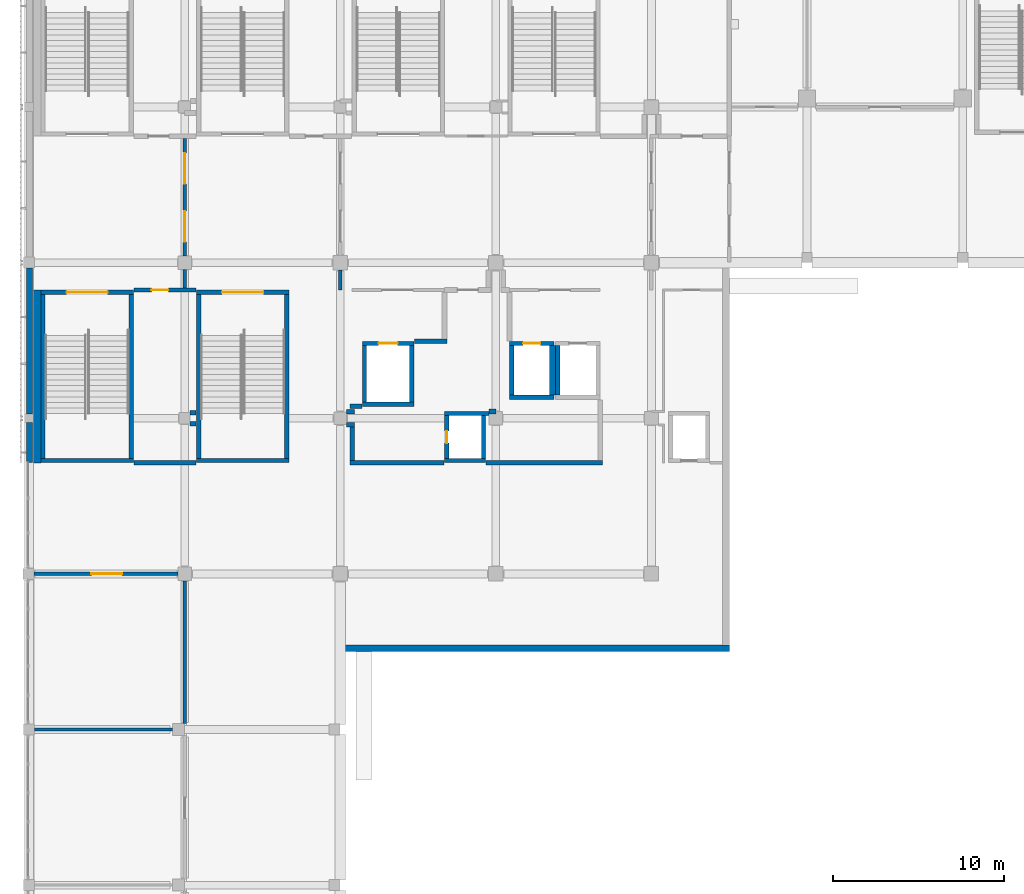
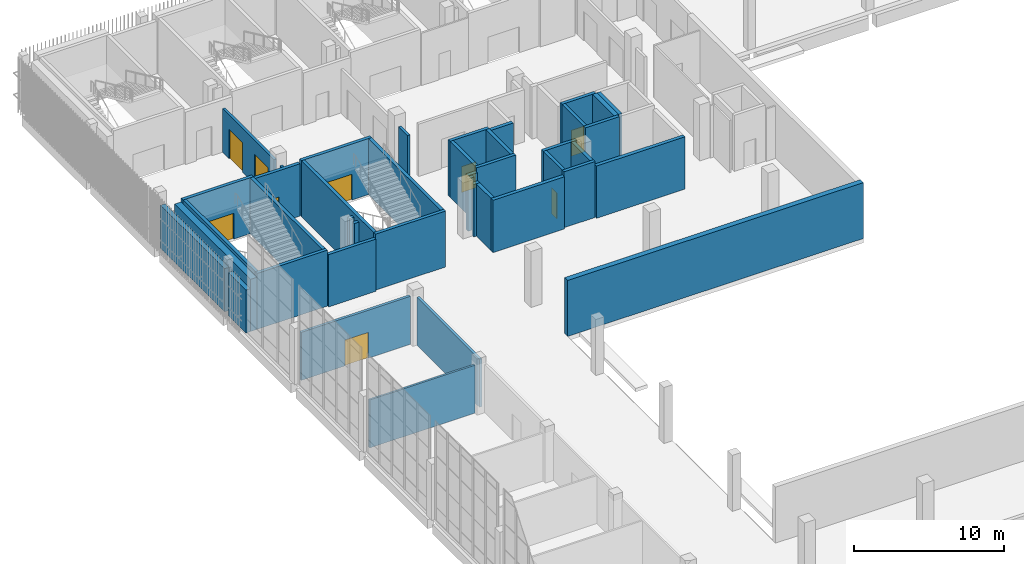
# One storey, part 80 of 126: 43 walls, 9 doors, 9 openings.
"""IFC4 building model written with IfcOpenShell, lengths in metres."""

from ifc_helpers import new_model, si_unit, direction, frame, frame_2d, origin, place, context, subcontext, project, spatial, rectangle, extrude, material, layer, layer_set, type_object, element, fill, save


model = new_model("IFC4")

# Units and contexts
model_context = context("Model", 3, precision=1e-05, world=origin(), true_north=direction((0.0, 1.0)))
body_context = subcontext(model_context, "Body", "Model", "MODEL_VIEW")
ifc_project = project(units=[si_unit("LENGTHUNIT", "METRE"), si_unit("AREAUNIT", "SQUARE_METRE"), si_unit("VOLUMEUNIT", "CUBIC_METRE"), si_unit("PLANEANGLEUNIT", "RADIAN"), si_unit("MASSUNIT", "GRAM", prefix="KILO")], contexts=[model_context])

# Site, building, storey
site_placement = place(None, origin())
site = spatial("IfcSite", under=ifc_project, at=site_placement, CompositionType="ELEMENT")
building_placement = place(site_placement, origin())
building = spatial("IfcBuilding", under=site, at=building_placement, Name="Shirokan Park Arena", CompositionType="ELEMENT")
storey_placement = place(building_placement, frame((0.0, 0.0, 6.3701171875)))
storey = spatial("IfcBuildingStorey", under=building, at=storey_placement, Name="L01", CompositionType="ELEMENT", Elevation=6.3701171875)

# Wall, opening, door
ifc_material_1 = material(Name="Plaster")
ifc_layer_1 = layer(ifc_material_1, 0.014892578125, Name="Plaster")
ifc_material_2 = material(Name="Concrete blockwork", Category="masonry")
ifc_layer_2 = layer(ifc_material_2, 0.219970703125, Name="Concrete blockwork 220")
ifc_layer_3 = layer(ifc_material_1, 0.014892578125, Name="Plaster")
ifc_layer_set_1 = layer_set([ifc_layer_1, ifc_layer_2, ifc_layer_3], Name="Plaster + Concrete blockwork 220")
wall_type_1 = type_object("IfcWallType", Name="Compartment wall 250", PredefinedType="SOLIDWALL", material=ifc_layer_set_1)
wall_1_placement = place(storey_placement, frame((6.1298828125, 89.39990234375, 0.0), z_axis=(0.0, 0.0, 1.0), x_axis=(1.0, 0.0, 0.0)))
wall_1 = element("IfcWall", 1, at=wall_1_placement, inside=storey, type_object=wall_type_1, Name="Compartment wall 250 L01", PredefinedType="SOLIDWALL", context=body_context, shape_type="SweptSolid", body=[
    extrude(rectangle(XDim=3.64013671875, YDim=0.25, at=frame_2d((1.820068359375, 0.0))), origin(), (0.0, 0.0, 1.0), 4.25),
])
opening_1_placement = place(wall_1_placement, frame((1.02001953125, 0.0, 0.0)))
opening_1 = element("IfcOpeningElement", 2, at=opening_1_placement, cuts=wall_1, Name="Opening D-1024", PredefinedType="OPENING", context=body_context, shape_type="SweptSolid", body=[
    extrude(rectangle(XDim=1.0, YDim=2.10009765625, at=frame_2d((0.5, 1.050048828125))), frame((0.0, 0.135009765625, 0.0), z_axis=(0.0, -1.0, 0.0), x_axis=(1.0, 0.0, 0.0)), (0.0, 0.0, 1.0), 0.27001953125),
])
ifc_material_3 = material(Name="Timber door set, fire resisting", Category="wood")
door_type_1 = type_object("IfcDoorType", Name="Door 1000 x 2100", OperationType="SINGLE_SWING_LEFT", PredefinedType="DOOR", material=ifc_material_3)
door_1_placement = place(opening_1_placement, origin())
door_1 = element("IfcDoor", 3, at=door_1_placement, inside=storey, type_object=door_type_1, Name="Door to First Aid Store 1.47 D-1024", OperationType="SINGLE_SWING_RIGHT", OverallHeight=2.10009765625, OverallWidth=1.0, PredefinedType="DOOR", context=body_context, shape_type="SweptSolid", body=[
    extrude(rectangle(XDim=1.0, YDim=2.10009765625, at=frame_2d((0.5, 1.050048828125))), frame((0.0, 0.02490234375, 0.0), z_axis=(0.0, -1.0, 0.0), x_axis=(1.0, 0.0, 0.0)), (0.0, 0.0, 1.0), 0.050048828125),
])
fill(opening_1, door_1)

# Walls
wall_2_placement = place(storey_placement, frame((9.425048828125, 81.574951171875, 0.0), z_axis=(0.0, 0.0, 1.0), x_axis=(1.0, 0.0, 0.0)))
element("IfcWall", 4, at=wall_2_placement, inside=storey, type_object=wall_type_1, Name="Compartment wall 250 L01", PredefinedType="SOLIDWALL", context=body_context, shape_type="SweptSolid", body=[
    extrude(rectangle(XDim=0.344970703125, YDim=0.25, at=frame_2d((0.17236328125, 0.0))), origin(), (0.0, 0.0, 1.0), 4.25),
])
wall_3_placement = place(storey_placement, frame((9.77001953125, 79.300048828125, 0.0), z_axis=(0.0, 0.0, 1.0), x_axis=(-1.0, 0.0, 0.0)))
element("IfcWall", 5, at=wall_3_placement, inside=storey, type_object=wall_type_1, Name="Compartment wall 250 L01", PredefinedType="SOLIDWALL", context=body_context, shape_type="SweptSolid", body=[
    extrude(rectangle(XDim=3.64013671875, YDim=0.25, at=frame_2d((1.820068359375, 0.0))), origin(), (0.0, 0.0, 1.0), 4.25),
])
wall_4_placement = place(storey_placement, frame((9.77001953125, 82.22509765625, 0.0), z_axis=(0.0, 0.0, 1.0), x_axis=(-1.0, 0.0, 0.0)))
element("IfcWall", 6, at=wall_4_placement, inside=storey, type_object=wall_type_1, Name="Compartment wall 250 L01", PredefinedType="SOLIDWALL", context=body_context, shape_type="SweptSolid", body=[
    extrude(rectangle(XDim=0.344970703125, YDim=0.25, at=frame_2d((0.17236328125, 0.0))), origin(), (0.0, 0.0, 1.0), 4.25),
])
ifc_material_4 = material(Name="Gypsum board")
ifc_layer_4 = layer(ifc_material_4, 0.02490234375, Name="Gypsum board, two layers")
ifc_material_5 = material(Name="Mineral wool insulation")
ifc_layer_5 = layer(ifc_material_5, 0.14990234375, Name="Mineral wool insulation")
ifc_layer_6 = layer(ifc_material_4, 0.02490234375, Name="Gypsum board, two layers")
ifc_layer_set_2 = layer_set([ifc_layer_4, ifc_layer_5, ifc_layer_6], Name="Gypsum board, two layers + Mineral wool insulation")
wall_type_2 = type_object("IfcWallType", Name="Corridor wall 200", PredefinedType="PARTITIONING", material=ifc_layer_set_2)
wall_5_placement = place(storey_placement, frame((9.10009765625, 90.60009765625, 0.0), z_axis=(0.0, 0.0, 1.0), x_axis=(0.0, -1.0, 0.0)))
element("IfcWall", 7, at=wall_5_placement, inside=storey, type_object=wall_type_2, Name="Corridor wall 200 L01", PredefinedType="PARTITIONING", context=body_context, shape_type="SweptSolid", body=[
    extrude(rectangle(XDim=1.0751953125, YDim=0.199951171875, at=frame_2d((0.53759765625, 0.0))), origin(), (0.0, 0.0, 1.0), 3.5498046875),
])

# Wall, openings, doors
wall_6_placement = place(storey_placement, frame((9.10009765625, 98.262451171875, 0.0), z_axis=(0.0, 0.0, 1.0), x_axis=(0.0, -1.0, 0.0)))
wall_6 = element("IfcWall", 8, at=wall_6_placement, inside=storey, type_object=wall_type_2, Name="Corridor wall 200 L01", PredefinedType="PARTITIONING", context=body_context, shape_type="SweptSolid", body=[
    extrude(rectangle(XDim=6.862548828125, YDim=0.199951171875, at=frame_2d((3.43115234375, 0.0))), origin(), (0.0, 0.0, 1.0), 3.5498046875),
])
opening_2_placement = place(wall_6_placement, frame((0.85009765625, 0.0, 0.0)))
opening_2 = element("IfcOpeningElement", 9, at=opening_2_placement, cuts=wall_6, Name="Opening D-1085", PredefinedType="OPENING", context=body_context, shape_type="SweptSolid", body=[
    extrude(rectangle(XDim=1.800048828125, YDim=2.39990234375, at=frame_2d((0.89990234375, 1.199951171875))), frame((0.0, 0.10986328125, 0.0), z_axis=(0.0, -1.0, 0.0), x_axis=(1.0, 0.0, 0.0)), (0.0, 0.0, 1.0), 0.219970703125),
])
opening_3_placement = place(wall_6_placement, frame((4.25, 0.0, 0.0)))
opening_3 = element("IfcOpeningElement", 10, at=opening_3_placement, cuts=wall_6, Name="Opening D-1086", PredefinedType="OPENING", context=body_context, shape_type="SweptSolid", body=[
    extrude(rectangle(XDim=1.800048828125, YDim=2.39990234375, at=frame_2d((0.89990234375, 1.199951171875))), frame((0.0, 0.10986328125, 0.0), z_axis=(0.0, -1.0, 0.0), x_axis=(1.0, 0.0, 0.0)), (0.0, 0.0, 1.0), 0.219970703125),
])
ifc_material_6 = material(Name="Glazed steel door set, fire resisting", Category="steel")
door_type_2 = type_object("IfcDoorType", Name="Lift lobby door 1800 x 2400", OperationType="DOUBLE_DOOR_SINGLE_SWING", PredefinedType="DOOR", material=ifc_material_6)
door_2_placement = place(opening_2_placement, origin())
door_2 = element("IfcDoor", 11, at=door_2_placement, inside=storey, type_object=door_type_2, Name="Door between First Aid Lobby 4.1.1 and Kiosk Court 4.1.2 D-1085", OperationType="DOUBLE_DOOR_SINGLE_SWING", OverallHeight=2.39990234375, OverallWidth=1.800048828125, PredefinedType="DOOR", context=body_context, shape_type="SweptSolid", body=[
    extrude(rectangle(XDim=1.800048828125, YDim=2.39990234375, at=frame_2d((0.89990234375, 1.199951171875))), frame((0.0, 0.02490234375, 0.0), z_axis=(0.0, -1.0, 0.0), x_axis=(1.0, 0.0, 0.0)), (0.0, 0.0, 1.0), 0.050048828125),
])
fill(opening_2, door_2)
door_3_placement = place(opening_3_placement, origin())
door_3 = element("IfcDoor", 12, at=door_3_placement, inside=storey, type_object=door_type_2, Name="Door between First Aid Lobby 4.1.1 and Kiosk Court 4.1.2 D-1086", OperationType="DOUBLE_DOOR_SINGLE_SWING", OverallHeight=2.39990234375, OverallWidth=1.800048828125, PredefinedType="DOOR", context=body_context, shape_type="SweptSolid", body=[
    extrude(rectangle(XDim=1.800048828125, YDim=2.39990234375, at=frame_2d((0.89990234375, 1.199951171875))), frame((0.0, 0.02490234375, 0.0), z_axis=(0.0, -1.0, 0.0), x_axis=(1.0, 0.0, 0.0)), (0.0, 0.0, 1.0), 0.050048828125),
])
fill(opening_3, door_3)

# Walls
wall_7_placement = place(storey_placement, frame((18.199951171875, 90.574951171875, 0.0), z_axis=(0.0, 0.0, 1.0), x_axis=(0.0, -1.0, 0.0)))
element("IfcWall", 13, at=wall_7_placement, inside=storey, type_object=wall_type_2, Name="Corridor wall 200 L01", PredefinedType="PARTITIONING", context=body_context, shape_type="SweptSolid", body=[
    extrude(rectangle(XDim=1.175048828125, YDim=0.199951171875, at=frame_2d((0.58740234375, 0.0))), origin(), (0.0, 0.0, 1.0), 3.5498046875),
])
ifc_material_7 = material(Name="Cedar cladding")
ifc_layer_7 = layer(ifc_material_7, 0.030029296875, Name="Cedar cladding")
ifc_layer_8 = layer(ifc_material_5, 0.10009765625, Name="Mineral wool insulation")
ifc_material_8 = material(Name="Concrete C35", Category="concrete")
ifc_layer_9 = layer(ifc_material_8, 0.199951171875, Name="Concrete C35")
ifc_material_9 = material(Name="Gypsum board lining")
ifc_layer_10 = layer(ifc_material_9, 0.02001953125, Name="Gypsum board lining")
ifc_layer_set_3 = layer_set([ifc_layer_7, ifc_layer_8, ifc_layer_9, ifc_layer_10], Name="Cedar cladding + Mineral wool insulation + Concrete C35 + Gypsum board lining")
wall_type_3 = type_object("IfcWallType", Name="Insulated tower wall 350", PredefinedType="SOLIDWALL", material=ifc_layer_set_3)
wall_8_placement = place(storey_placement, frame((0.02490234375, 90.675048828125, 0.0), z_axis=(0.0, 0.0, 1.0), x_axis=(0.0, -1.0, 0.0)))
element("IfcWall", 14, at=wall_8_placement, inside=storey, type_object=wall_type_3, Name="West facade wall bay 3 L01", PredefinedType="SOLIDWALL", context=body_context, shape_type="SweptSolid", body=[
    extrude(rectangle(XDim=8.525146484375, YDim=0.35009765625, at=frame_2d((4.2626953125, 0.0))), origin(), (0.0, 0.0, 1.0), 3.5),
])
wall_9_placement = place(storey_placement, frame((0.02490234375, 81.64990234375, 0.0), z_axis=(0.0, 0.0, 1.0), x_axis=(0.0, -1.0, 0.0)))
element("IfcWall", 15, at=wall_9_placement, inside=storey, type_object=wall_type_3, Name="West facade wall bay 4 L01", PredefinedType="SOLIDWALL", context=body_context, shape_type="SweptSolid", body=[
    extrude(rectangle(XDim=2.349853515625, YDim=0.35009765625, at=frame_2d((1.1748046875, 0.0))), origin(), (0.0, 0.0, 1.0), 3.5),
])
ifc_layer_11 = layer(ifc_material_8, 0.14990234375)
ifc_layer_set_4 = layer_set([ifc_layer_11], Name="Concrete C35 150 mm")
wall_type_4 = type_object("IfcWallType", Name="Pavilion RC wall 150", PredefinedType="SOLIDWALL", material=ifc_layer_set_4)
wall_10_placement = place(storey_placement, frame((0.324951171875, 63.699951171875, 0.0), z_axis=(0.0, 0.0, 1.0), x_axis=(1.0, 0.0, 0.0)))
element("IfcWall", 16, at=wall_10_placement, inside=storey, type_object=wall_type_4, Name="Room partition 150 L01", PredefinedType="PARTITIONING", context=body_context, shape_type="SweptSolid", body=[
    extrude(rectangle(XDim=8.074951171875, YDim=0.14990234375, at=frame_2d((4.03759765625, 0.0))), origin(), (0.0, 0.0, 1.0), 3.89990234375),
])

# Wall, opening, door
ifc_layer_12 = layer(ifc_material_8, 0.199951171875)
ifc_layer_set_5 = layer_set([ifc_layer_12], Name="Concrete C35 200 mm")
wall_type_5 = type_object("IfcWallType", Name="Pavilion RC wall 200", PredefinedType="SOLIDWALL", material=ifc_layer_set_5)
wall_11_placement = place(storey_placement, frame((8.699951171875, 72.800048828125, 0.0), z_axis=(0.0, 0.0, 1.0), x_axis=(-1.0, 0.0, 0.0)))
wall_11 = element("IfcWall", 17, at=wall_11_placement, inside=storey, type_object=wall_type_5, Name="Corridor wall 200 L01", PredefinedType="PARTITIONING", context=body_context, shape_type="SweptSolid", body=[
    extrude(rectangle(XDim=8.39990234375, YDim=0.199951171875, at=frame_2d((4.199951171875, 0.0))), origin(), (0.0, 0.0, 1.0), 3.89990234375),
])
opening_4_placement = place(wall_11_placement, frame((3.25, 0.0, 0.0)))
opening_4 = element("IfcOpeningElement", 18, at=opening_4_placement, cuts=wall_11, Name="Opening D-1052", PredefinedType="OPENING", context=body_context, shape_type="SweptSolid", body=[
    extrude(rectangle(XDim=1.800048828125, YDim=2.10009765625, at=frame_2d((0.89990234375, 1.050048828125))), frame((0.0, 0.10986328125, 0.0), z_axis=(0.0, -1.0, 0.0), x_axis=(1.0, 0.0, 0.0)), (0.0, 0.0, 1.0), 0.219970703125),
])
door_type_3 = type_object("IfcDoorType", Name="Double door 1800 x 2100", OperationType="DOUBLE_DOOR_SINGLE_SWING", PredefinedType="DOOR", material=ifc_material_3)
door_4_placement = place(opening_4_placement, origin())
door_4 = element("IfcDoor", 19, at=door_4_placement, inside=storey, type_object=door_type_3, Name="Door to Concession Stand 1.15 D-1052", OperationType="DOUBLE_DOOR_SINGLE_SWING", OverallHeight=2.10009765625, OverallWidth=1.800048828125, PredefinedType="DOOR", context=body_context, shape_type="SweptSolid", body=[
    extrude(rectangle(XDim=1.800048828125, YDim=2.10009765625, at=frame_2d((0.89990234375, 1.050048828125))), frame((0.0, 0.02490234375, 0.0), z_axis=(0.0, -1.0, 0.0), x_axis=(1.0, 0.0, 0.0)), (0.0, 0.0, 1.0), 0.050048828125),
])
fill(opening_4, door_4)

# Walls
wall_12_placement = place(storey_placement, frame((9.10009765625, 64.050048828125, 0.0), z_axis=(0.0, 0.0, 1.0), x_axis=(0.0, 1.0, 0.0)))
element("IfcWall", 20, at=wall_12_placement, inside=storey, type_object=wall_type_5, Name="Corridor wall 200 L01", PredefinedType="PARTITIONING", context=body_context, shape_type="SweptSolid", body=[
    extrude(rectangle(XDim=8.349853515625, YDim=0.199951171875, at=frame_2d((4.1748046875, 0.0))), origin(), (0.0, 0.0, 1.0), 3.89990234375),
])
ifc_layer_13 = layer(ifc_material_1, 0.012451171875, Name="Plaster")
ifc_layer_14 = layer(ifc_material_2, 0.25, Name="Concrete blockwork 250")
ifc_layer_15 = layer(ifc_material_1, 0.012451171875, Name="Plaster")
ifc_layer_set_6 = layer_set([ifc_layer_13, ifc_layer_14, ifc_layer_15], Name="Plaster + Concrete blockwork 250")
wall_type_6 = type_object("IfcWallType", Name="Plant room wall 275", PredefinedType="SOLIDWALL", material=ifc_layer_set_6)
wall_13_placement = place(storey_placement, frame((18.574951171875, 81.52490234375, 0.0), z_axis=(0.0, 0.0, 1.0), x_axis=(1.0, 0.0, 0.0)))
element("IfcWall", 21, at=wall_13_placement, inside=storey, type_object=wall_type_6, Name="Plant room wall 275 L01", PredefinedType="SOLIDWALL", context=body_context, shape_type="SweptSolid", body=[
    extrude(rectangle(XDim=0.462646484375, YDim=0.27490234375, at=frame_2d((0.2314453125, 0.0))), origin(), (0.0, 0.0, 1.0), 4.25),
])
wall_14_placement = place(storey_placement, frame((18.762451171875, 82.60009765625, 0.0), z_axis=(0.0, 0.0, 1.0), x_axis=(1.0, 0.0, 0.0)))
element("IfcWall", 22, at=wall_14_placement, inside=storey, type_object=wall_type_6, Name="Plant room wall 275 L01", PredefinedType="SOLIDWALL", context=body_context, shape_type="SweptSolid", body=[
    extrude(rectangle(XDim=0.70751953125, YDim=0.27490234375, at=frame_2d((0.353759765625, 0.0))), origin(), (0.0, 0.0, 1.0), 4.25),
])
wall_15_placement = place(storey_placement, frame((18.89990234375, 81.387451171875, 0.0), z_axis=(0.0, 0.0, 1.0), x_axis=(0.0, -1.0, 0.0)))
element("IfcWall", 23, at=wall_15_placement, inside=storey, type_object=wall_type_6, Name="Plant room wall 275 L01", PredefinedType="SOLIDWALL", context=body_context, shape_type="SweptSolid", body=[
    extrude(rectangle(XDim=1.949951171875, YDim=0.27490234375, at=frame_2d((0.97509765625, 0.0))), origin(), (0.0, 0.0, 1.0), 4.25),
])
wall_16_placement = place(storey_placement, frame((19.03759765625, 82.27490234375, 0.0), z_axis=(0.0, 0.0, 1.0), x_axis=(-1.0, 0.0, 0.0)))
element("IfcWall", 24, at=wall_16_placement, inside=storey, type_object=wall_type_6, Name="Plant room wall 275 L01", PredefinedType="SOLIDWALL", context=body_context, shape_type="SweptSolid", body=[
    extrude(rectangle(XDim=0.462646484375, YDim=0.27490234375, at=frame_2d((0.2314453125, 0.0))), origin(), (0.0, 0.0, 1.0), 4.25),
])
wall_17_placement = place(storey_placement, frame((22.530029296875, 86.39990234375, 0.0), z_axis=(0.0, 0.0, 1.0), x_axis=(1.0, 0.0, 0.0)))
element("IfcWall", 25, at=wall_17_placement, inside=storey, type_object=wall_type_6, Name="Plant room wall 275 L01", PredefinedType="SOLIDWALL", context=body_context, shape_type="SweptSolid", body=[
    extrude(rectangle(XDim=1.907470703125, YDim=0.27490234375, at=frame_2d((0.95361328125, 0.0))), origin(), (0.0, 0.0, 1.0), 4.25),
])
wall_18_placement = place(storey_placement, frame((24.27001953125, 79.300048828125, 0.0), z_axis=(0.0, 0.0, 1.0), x_axis=(-1.0, 0.0, 0.0)))
element("IfcWall", 26, at=wall_18_placement, inside=storey, type_object=wall_type_6, Name="Plant room wall 275 L01", PredefinedType="SOLIDWALL", context=body_context, shape_type="SweptSolid", body=[
    extrude(rectangle(XDim=5.507568359375, YDim=0.27490234375, at=frame_2d((2.75390625, 0.0))), origin(), (0.0, 0.0, 1.0), 4.25),
])
wall_19_placement = place(storey_placement, frame((27.300048828125, 82.300048828125, 0.0), z_axis=(0.0, 0.0, 1.0), x_axis=(-1.0, 0.0, 0.0)))
element("IfcWall", 27, at=wall_19_placement, inside=storey, type_object=wall_type_6, Name="Plant room wall 275 L01", PredefinedType="SOLIDWALL", context=body_context, shape_type="SweptSolid", body=[
    extrude(rectangle(XDim=0.400146484375, YDim=0.27490234375, at=frame_2d((0.2001953125, 0.0))), origin(), (0.0, 0.0, 1.0), 4.25),
])
wall_20_placement = place(storey_placement, frame((26.72998046875, 79.300048828125, 0.0), z_axis=(0.0, 0.0, 1.0), x_axis=(1.0, 0.0, 0.0)))
element("IfcWall", 28, at=wall_20_placement, inside=storey, type_object=wall_type_6, Name="Plant room wall 275 L01", PredefinedType="SOLIDWALL", context=body_context, shape_type="SweptSolid", body=[
    extrude(rectangle(XDim=6.8076171875, YDim=0.27490234375, at=frame_2d((3.40380859375, 0.0))), origin(), (0.0, 0.0, 1.0), 4.25),
])
ifc_layer_16 = layer(ifc_material_8, 0.39990234375)
ifc_layer_set_7 = layer_set([ifc_layer_16], Name="Concrete C35 400 mm")
wall_type_7 = type_object("IfcWallType", Name="RC flank wall 400", PredefinedType="SHEAR", material=ifc_layer_set_7)
wall_21_placement = place(storey_placement, frame((40.949951171875, 68.449951171875, 0.0), z_axis=(0.0, 0.0, 1.0), x_axis=(-1.0, 0.0, 0.0)))
element("IfcWall", 29, at=wall_21_placement, inside=storey, type_object=wall_type_7, Name="Flank wall W2 L01", PredefinedType="SHEAR", context=body_context, shape_type="SweptSolid", body=[
    extrude(rectangle(XDim=22.75, YDim=0.39990234375, at=frame_2d((11.375, 0.0))), origin(), (0.0, 0.0, 1.0), 4.5498046875),
])
ifc_material_10 = material(Name="Concrete C40/50", Category="concrete")
ifc_layer_17 = layer(ifc_material_10, 0.25)
ifc_layer_set_8 = layer_set([ifc_layer_17], Name="Concrete C40/50 250 mm")
wall_type_8 = type_object("IfcWallType", Name="RC shear wall 250", PredefinedType="SHEAR", material=ifc_layer_set_8)
wall_22_placement = place(storey_placement, frame((30.699951171875, 83.125, 0.0), z_axis=(0.0, 0.0, 1.0), x_axis=(-1.0, 0.0, 0.0)))
element("IfcWall", 30, at=wall_22_placement, inside=storey, type_object=wall_type_8, Name="Shaft wall Passenger Lift 4.1 S L01", PredefinedType="SHEAR", context=body_context, shape_type="SweptSolid", body=[
    extrude(rectangle(XDim=2.599853515625, YDim=0.25, at=frame_2d((1.2998046875, 0.0))), origin(), (0.0, 0.0, 1.0), 4.5498046875),
])

# Wall, opening, door
wall_23_placement = place(storey_placement, frame((30.699951171875, 86.27490234375, 0.0), z_axis=(0.0, 0.0, 1.0), x_axis=(-1.0, 0.0, 0.0)))
wall_23 = element("IfcWall", 31, at=wall_23_placement, inside=storey, type_object=wall_type_8, Name="Shaft wall Passenger Lift 4.1 N L01", PredefinedType="SHEAR", context=body_context, shape_type="SweptSolid", body=[
    extrude(rectangle(XDim=2.599853515625, YDim=0.25, at=frame_2d((1.2998046875, 0.0))), origin(), (0.0, 0.0, 1.0), 4.5498046875),
])
opening_5_placement = place(wall_23_placement, frame((0.800048828125, 0.0, 0.0)))
opening_5 = element("IfcOpeningElement", 32, at=opening_5_placement, cuts=wall_23, Name="Opening LD38", PredefinedType="OPENING", context=body_context, shape_type="SweptSolid", body=[
    extrude(rectangle(XDim=1.0, YDim=2.10009765625, at=frame_2d((0.5, 1.050048828125))), frame((0.0, 0.135009765625, 0.0), z_axis=(0.0, -1.0, 0.0), x_axis=(1.0, 0.0, 0.0)), (0.0, 0.0, 1.0), 0.27001953125),
])
ifc_material_11 = material(Name="Stainless steel", Category="steel")
door_type_4 = type_object("IfcDoorType", Name="Lift landing door 1000x2100", OperationType="DOUBLE_DOOR_SLIDING", PredefinedType="DOOR", material=ifc_material_11)
door_5_placement = place(opening_5_placement, origin())
door_5 = element("IfcDoor", 33, at=door_5_placement, inside=storey, type_object=door_type_4, Name="Lift landing door Passenger Lift 4.1 L01", OperationType="DOUBLE_DOOR_SLIDING", OverallHeight=2.10009765625, OverallWidth=1.0, PredefinedType="DOOR", context=body_context, shape_type="SweptSolid", body=[
    extrude(rectangle(XDim=1.0, YDim=2.10009765625, at=frame_2d((0.5, 1.050048828125))), frame((0.0, 0.02490234375, 0.0), z_axis=(0.0, -1.0, 0.0), x_axis=(1.0, 0.0, 0.0)), (0.0, 0.0, 1.0), 0.050048828125),
])
fill(opening_5, door_5)

# Walls
for number, where, z_axis, x_axis, name in (
    (34, (28.22509765625, 86.14990234375, 0.0), (0.0, 0.0, 1.0), (0.0, -1.0, 0.0), "Shaft wall Passenger Lift 4.1 W L01"),
    (35, (30.925048828125, 86.14990234375, 0.0), (0.0, 0.0, 1.0), (0.0, -1.0, 0.0), "Shaft wall Passenger Lift 4.2 W L01"),
):
    element("IfcWall", number, at=place(storey_placement, frame(where, z_axis=z_axis, x_axis=x_axis)), inside=storey, type_object=wall_type_8, Name=name, PredefinedType="SHEAR", context=body_context, shape_type="SweptSolid", body=[
        extrude(rectangle(XDim=2.89990234375, YDim=0.25, at=frame_2d((1.449951171875, 0.0))), origin(), (0.0, 0.0, 1.0), 4.5498046875),
    ])
wall_24_placement = place(storey_placement, frame((26.699951171875, 79.425048828125, 0.0), z_axis=(0.0, 0.0, 1.0), x_axis=(-1.0, 0.0, 0.0)))
element("IfcWall", 36, at=wall_24_placement, inside=storey, type_object=wall_type_8, Name="Shaft wall Services Riser 4.2 S L01", PredefinedType="SHEAR", context=body_context, shape_type="SweptSolid", body=[
    extrude(rectangle(XDim=2.39990234375, YDim=0.25, at=frame_2d((1.199951171875, 0.0))), origin(), (0.0, 0.0, 1.0), 4.5498046875),
])
wall_25_placement = place(storey_placement, frame((26.89990234375, 82.175048828125, 0.0), z_axis=(0.0, 0.0, 1.0), x_axis=(-1.0, 0.0, 0.0)))
element("IfcWall", 37, at=wall_25_placement, inside=storey, type_object=wall_type_8, Name="Shaft wall Services Riser 4.2 N L01", PredefinedType="SHEAR", context=body_context, shape_type="SweptSolid", body=[
    extrude(rectangle(XDim=2.599853515625, YDim=0.25, at=frame_2d((1.2998046875, 0.0))), origin(), (0.0, 0.0, 1.0), 4.5498046875),
])

# Wall, opening, door
wall_26_placement = place(storey_placement, frame((24.425048828125, 82.050048828125, 0.0), z_axis=(0.0, 0.0, 1.0), x_axis=(0.0, -1.0, 0.0)))
wall_26 = element("IfcWall", 38, at=wall_26_placement, inside=storey, type_object=wall_type_8, Name="Shaft wall Services Riser 4.2 W L01", PredefinedType="SHEAR", context=body_context, shape_type="SweptSolid", body=[
    extrude(rectangle(XDim=2.5, YDim=0.25, at=frame_2d((1.25, 0.0))), origin(), (0.0, 0.0, 1.0), 4.5498046875),
])
opening_6_placement = place(wall_26_placement, frame((0.89990234375, 0.0, 0.0)))
opening_6 = element("IfcOpeningElement", 39, at=opening_6_placement, cuts=wall_26, Name="Opening D-1102", PredefinedType="OPENING", context=body_context, shape_type="SweptSolid", body=[
    extrude(rectangle(XDim=0.699951171875, YDim=2.10009765625, at=frame_2d((0.35009765625, 1.050048828125))), frame((0.0, 0.135009765625, 0.0), z_axis=(0.0, -1.0, 0.0), x_axis=(1.0, 0.0, 0.0)), (0.0, 0.0, 1.0), 0.27001953125),
])
ifc_material_12 = material(Name="Steel door set, fire resisting", Category="steel")
door_type_5 = type_object("IfcDoorType", Name="Mechanical riser door 700 x 2100", OperationType="SINGLE_SWING_LEFT", PredefinedType="DOOR", material=ifc_material_12)
door_6_placement = place(opening_6_placement, origin())
door_6 = element("IfcDoor", 40, at=door_6_placement, inside=storey, type_object=door_type_5, Name="Riser access door Services Riser 4.2 D-1102", OperationType="SINGLE_SWING_LEFT", OverallHeight=2.10009765625, OverallWidth=0.699951171875, PredefinedType="DOOR", context=body_context, shape_type="SweptSolid", body=[
    extrude(rectangle(XDim=0.699951171875, YDim=2.10009765625, at=frame_2d((0.35009765625, 1.050048828125))), frame((0.0, 0.02490234375, 0.0), z_axis=(0.0, -1.0, 0.0), x_axis=(1.0, 0.0, 0.0)), (0.0, 0.0, 1.0), 0.050048828125),
])
fill(opening_6, door_6)

# Walls
wall_27_placement = place(storey_placement, frame((26.574951171875, 82.050048828125, 0.0), z_axis=(0.0, 0.0, 1.0), x_axis=(0.0, -1.0, 0.0)))
element("IfcWall", 41, at=wall_27_placement, inside=storey, type_object=wall_type_8, Name="Shaft wall Services Riser 4.2 E L01", PredefinedType="SHEAR", context=body_context, shape_type="SweptSolid", body=[
    extrude(rectangle(XDim=2.5, YDim=0.25, at=frame_2d((1.25, 0.0))), origin(), (0.0, 0.0, 1.0), 4.5498046875),
])
wall_28_placement = place(storey_placement, frame((22.5, 82.72509765625, 0.0), z_axis=(0.0, 0.0, 1.0), x_axis=(-1.0, 0.0, 0.0)))
element("IfcWall", 42, at=wall_28_placement, inside=storey, type_object=wall_type_8, Name="Shaft wall Service Lift 4 S L01", PredefinedType="SHEAR", context=body_context, shape_type="SweptSolid", body=[
    extrude(rectangle(XDim=3.0, YDim=0.25, at=frame_2d((1.5, 0.0))), origin(), (0.0, 0.0, 1.0), 4.5498046875),
])

# Wall, opening, door
wall_29_placement = place(storey_placement, frame((22.5, 86.27490234375, 0.0), z_axis=(0.0, 0.0, 1.0), x_axis=(-1.0, 0.0, 0.0)))
wall_29 = element("IfcWall", 43, at=wall_29_placement, inside=storey, type_object=wall_type_8, Name="Shaft wall Service Lift 4 N L01", PredefinedType="SHEAR", context=body_context, shape_type="SweptSolid", body=[
    extrude(rectangle(XDim=3.0, YDim=0.25, at=frame_2d((1.5, 0.0))), origin(), (0.0, 0.0, 1.0), 4.5498046875),
])
opening_7_placement = place(wall_29_placement, frame((0.949951171875, 0.0, 0.0)))
opening_7 = element("IfcOpeningElement", 44, at=opening_7_placement, cuts=wall_29, Name="Opening LD71", PredefinedType="OPENING", context=body_context, shape_type="SweptSolid", body=[
    extrude(rectangle(XDim=1.10009765625, YDim=2.10009765625, at=frame_2d((0.550048828125, 1.050048828125))), frame((0.0, 0.135009765625, 0.0), z_axis=(0.0, -1.0, 0.0), x_axis=(1.0, 0.0, 0.0)), (0.0, 0.0, 1.0), 0.27001953125),
])
door_type_6 = type_object("IfcDoorType", Name="Lift landing door 1100x2100", OperationType="DOUBLE_DOOR_SLIDING", PredefinedType="DOOR", material=ifc_material_11)
door_7_placement = place(opening_7_placement, origin())
door_7 = element("IfcDoor", 45, at=door_7_placement, inside=storey, type_object=door_type_6, Name="Lift landing door Service Lift 4 L01", OperationType="DOUBLE_DOOR_SLIDING", OverallHeight=2.10009765625, OverallWidth=1.10009765625, PredefinedType="DOOR", context=body_context, shape_type="SweptSolid", body=[
    extrude(rectangle(XDim=1.10009765625, YDim=2.10009765625, at=frame_2d((0.550048828125, 1.050048828125))), frame((0.0, 0.02490234375, 0.0), z_axis=(0.0, -1.0, 0.0), x_axis=(1.0, 0.0, 0.0)), (0.0, 0.0, 1.0), 0.050048828125),
])
fill(opening_7, door_7)

# Walls
for number, where, z_axis, x_axis, name in (
    (46, (19.625, 86.14990234375, 0.0), (0.0, 0.0, 1.0), (0.0, -1.0, 0.0), "Shaft wall Service Lift 4 W L01"),
    (47, (22.375, 86.14990234375, 0.0), (0.0, 0.0, 1.0), (0.0, -1.0, 0.0), "Shaft wall Service Lift 4 E L01"),
):
    element("IfcWall", number, at=place(storey_placement, frame(where, z_axis=z_axis, x_axis=x_axis)), inside=storey, type_object=wall_type_8, Name=name, PredefinedType="SHEAR", context=body_context, shape_type="SweptSolid", body=[
        extrude(rectangle(XDim=3.2998046875, YDim=0.25, at=frame_2d((1.64990234375, 0.0))), origin(), (0.0, 0.0, 1.0), 4.5498046875),
    ])
wall_30_placement = place(storey_placement, frame((6.10009765625, 79.425048828125, 0.0), z_axis=(0.0, 0.0, 1.0), x_axis=(-1.0, 0.0, 0.0)))
element("IfcWall", 48, at=wall_30_placement, inside=storey, type_object=wall_type_8, Name="Shaft wall Exit Stair 4.E S L01", PredefinedType="SHEAR", context=body_context, shape_type="SweptSolid", body=[
    extrude(rectangle(XDim=5.400146484375, YDim=0.25, at=frame_2d((2.7001953125, 0.0))), origin(), (0.0, 0.0, 1.0), 4.5498046875),
])

# Wall, opening, door
wall_31_placement = place(storey_placement, frame((6.10009765625, 89.27490234375, 0.0), z_axis=(0.0, 0.0, 1.0), x_axis=(-1.0, 0.0, 0.0)))
wall_31 = element("IfcWall", 49, at=wall_31_placement, inside=storey, type_object=wall_type_8, Name="Shaft wall Exit Stair 4.E N L01", PredefinedType="SHEAR", context=body_context, shape_type="SweptSolid", body=[
    extrude(rectangle(XDim=5.400146484375, YDim=0.25, at=frame_2d((2.7001953125, 0.0))), origin(), (0.0, 0.0, 1.0), 4.5498046875),
])
opening_8_placement = place(wall_31_placement, frame((1.5, 0.0, 0.0)))
opening_8 = element("IfcOpeningElement", 50, at=opening_8_placement, cuts=wall_31, Name="Opening D-1116", PredefinedType="OPENING", context=body_context, shape_type="SweptSolid", body=[
    extrude(rectangle(XDim=2.39990234375, YDim=2.10009765625, at=frame_2d((1.199951171875, 1.050048828125))), frame((0.0, 0.135009765625, 0.0), z_axis=(0.0, -1.0, 0.0), x_axis=(1.0, 0.0, 0.0)), (0.0, 0.0, 1.0), 0.27001953125),
])
door_type_7 = type_object("IfcDoorType", Name="Stair door 2400 x 2100", OperationType="DOUBLE_DOOR_SINGLE_SWING", PredefinedType="DOOR", material=ifc_material_12)
door_8_placement = place(opening_8_placement, origin())
door_8 = element("IfcDoor", 51, at=door_8_placement, inside=storey, type_object=door_type_7, Name="Stair door Exit Stair 4.E D-1116", OperationType="DOUBLE_DOOR_SINGLE_SWING", OverallHeight=2.10009765625, OverallWidth=2.39990234375, PredefinedType="DOOR", context=body_context, shape_type="SweptSolid", body=[
    extrude(rectangle(XDim=2.39990234375, YDim=2.10009765625, at=frame_2d((1.199951171875, 1.050048828125))), frame((0.0, 0.02490234375, 0.0), z_axis=(0.0, -1.0, 0.0), x_axis=(1.0, 0.0, 0.0)), (0.0, 0.0, 1.0), 0.050048828125),
])
fill(opening_8, door_8)

# Walls
for number, where, z_axis, x_axis, name in (
    (52, (0.824951171875, 89.14990234375, 0.0), (0.0, 0.0, 1.0), (0.0, -1.0, 0.0), "Shaft wall Exit Stair 4.E W L01"),
    (53, (5.97509765625, 89.14990234375, 0.0), (0.0, 0.0, 1.0), (0.0, -1.0, 0.0), "Shaft wall Exit Stair 4.E E L01"),
):
    element("IfcWall", number, at=place(storey_placement, frame(where, z_axis=z_axis, x_axis=x_axis)), inside=storey, type_object=wall_type_8, Name=name, PredefinedType="SHEAR", context=body_context, shape_type="SweptSolid", body=[
        extrude(rectangle(XDim=9.599853515625, YDim=0.25, at=frame_2d((4.7998046875, 0.0))), origin(), (0.0, 0.0, 1.0), 4.5498046875),
    ])
wall_32_placement = place(storey_placement, frame((15.199951171875, 79.425048828125, 0.0), z_axis=(0.0, 0.0, 1.0), x_axis=(-1.0, 0.0, 0.0)))
element("IfcWall", 54, at=wall_32_placement, inside=storey, type_object=wall_type_8, Name="Shaft wall Exit Stair 4.F S L01", PredefinedType="SHEAR", context=body_context, shape_type="SweptSolid", body=[
    extrude(rectangle(XDim=5.39990234375, YDim=0.25, at=frame_2d((2.699951171875, 0.0))), origin(), (0.0, 0.0, 1.0), 4.5498046875),
])

# Wall, opening, door
wall_33_placement = place(storey_placement, frame((15.199951171875, 89.27490234375, 0.0), z_axis=(0.0, 0.0, 1.0), x_axis=(-1.0, 0.0, 0.0)))
wall_33 = element("IfcWall", 55, at=wall_33_placement, inside=storey, type_object=wall_type_8, Name="Shaft wall Exit Stair 4.F N L01", PredefinedType="SHEAR", context=body_context, shape_type="SweptSolid", body=[
    extrude(rectangle(XDim=5.39990234375, YDim=0.25, at=frame_2d((2.699951171875, 0.0))), origin(), (0.0, 0.0, 1.0), 4.5498046875),
])
opening_9_placement = place(wall_33_placement, frame((1.5, 0.0, 0.0)))
opening_9 = element("IfcOpeningElement", 56, at=opening_9_placement, cuts=wall_33, Name="Opening D-1117", PredefinedType="OPENING", context=body_context, shape_type="SweptSolid", body=[
    extrude(rectangle(XDim=2.39990234375, YDim=2.10009765625, at=frame_2d((1.199951171875, 1.050048828125))), frame((0.0, 0.135009765625, 0.0), z_axis=(0.0, -1.0, 0.0), x_axis=(1.0, 0.0, 0.0)), (0.0, 0.0, 1.0), 0.27001953125),
])
door_9_placement = place(opening_9_placement, origin())
door_9 = element("IfcDoor", 57, at=door_9_placement, inside=storey, type_object=door_type_7, Name="Stair door Exit Stair 4.F D-1117", OperationType="DOUBLE_DOOR_SINGLE_SWING", OverallHeight=2.10009765625, OverallWidth=2.39990234375, PredefinedType="DOOR", context=body_context, shape_type="SweptSolid", body=[
    extrude(rectangle(XDim=2.39990234375, YDim=2.10009765625, at=frame_2d((1.199951171875, 1.050048828125))), frame((0.0, 0.02490234375, 0.0), z_axis=(0.0, -1.0, 0.0), x_axis=(1.0, 0.0, 0.0)), (0.0, 0.0, 1.0), 0.050048828125),
])
fill(opening_9, door_9)

# Walls
for number, where, z_axis, x_axis, name in (
    (58, (9.925048828125, 89.14990234375, 0.0), (0.0, 0.0, 1.0), (0.0, -1.0, 0.0), "Shaft wall Exit Stair 4.F W L01"),
    (59, (15.074951171875, 89.14990234375, 0.0), (0.0, 0.0, 1.0), (0.0, -1.0, 0.0), "Shaft wall Exit Stair 4.F E L01"),
):
    element("IfcWall", number, at=place(storey_placement, frame(where, z_axis=z_axis, x_axis=x_axis)), inside=storey, type_object=wall_type_8, Name=name, PredefinedType="SHEAR", context=body_context, shape_type="SweptSolid", body=[
        extrude(rectangle(XDim=9.599853515625, YDim=0.25, at=frame_2d((4.7998046875, 0.0))), origin(), (0.0, 0.0, 1.0), 4.5498046875),
    ])
ifc_layer_18 = layer(ifc_material_10, 0.35009765625)
ifc_layer_set_9 = layer_set([ifc_layer_18], Name="Concrete C40/50 350 mm")
wall_type_9 = type_object("IfcWallType", Name="RC shear wall 350", PredefinedType="SHEAR", material=ifc_layer_set_9)
wall_34_placement = place(storey_placement, frame((30.625, 86.14990234375, 0.0), z_axis=(0.0, 0.0, 1.0), x_axis=(0.0, -1.0, 0.0)))
element("IfcWall", 60, at=wall_34_placement, inside=storey, type_object=wall_type_9, Name="Shaft wall Passenger Lift 4.1 E L01", PredefinedType="SHEAR", context=body_context, shape_type="SweptSolid", body=[
    extrude(rectangle(XDim=2.89990234375, YDim=0.35009765625, at=frame_2d((1.449951171875, 0.0))), origin(), (0.0, 0.0, 1.0), 4.5498046875),
])
ifc_layer_19 = layer(ifc_material_8, 0.5)
ifc_layer_set_10 = layer_set([ifc_layer_19], Name="Concrete C35 500 mm")
wall_type_10 = type_object("IfcWallType", Name="Shaft infill wall 500", PredefinedType="SOLIDWALL", material=ifc_layer_set_10)
wall_35_placement = place(storey_placement, frame((0.449951171875, 79.300048828125, 0.0), z_axis=(0.0, 0.0, 1.0), x_axis=(0.0, 1.0, 0.0)))
element("IfcWall", 61, at=wall_35_placement, inside=storey, type_object=wall_type_10, Name="Shaft infill wall L01", PredefinedType="SOLIDWALL", context=body_context, shape_type="SweptSolid", body=[
    extrude(rectangle(XDim=10.099853515625, YDim=0.5, at=frame_2d((5.0498046875, 0.0))), origin(), (0.0, 0.0, 1.0), 4.25),
])

save(model, "model.ifc")
